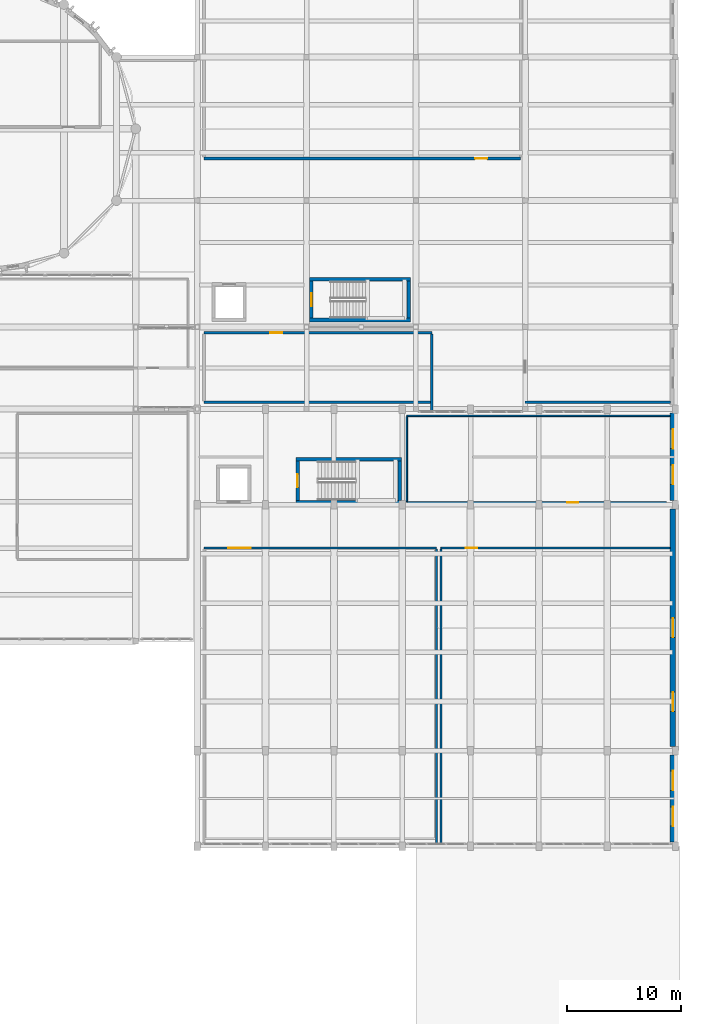
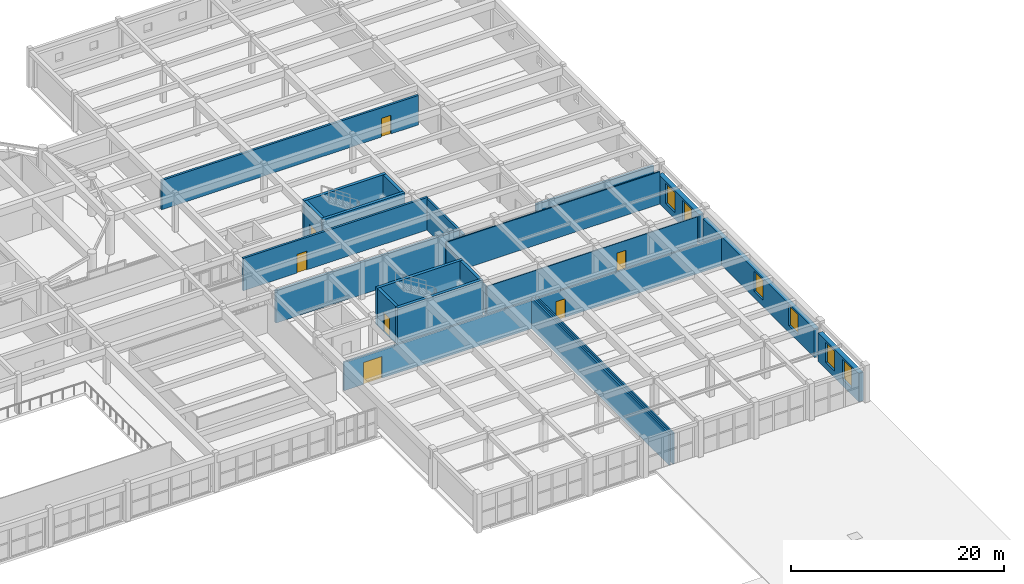
# One storey, part 72 of 92: 23 walls, 7 doors, 6 windows, 13 openings.
"""IFC4 building model written with IfcOpenShell, lengths in metres."""

from ifc_helpers import new_model, si_unit, direction, frame, frame_2d, origin, place, context, subcontext, project, spatial, rectangle, extrude, material, layer, layer_set, type_object, element, fill, save


model = new_model("IFC4")

# Units and contexts
model_context = context("Model", 3, precision=1e-05, world=origin(), true_north=direction((0.0, 1.0)))
body_context = subcontext(model_context, "Body", "Model", "MODEL_VIEW")
ifc_project = project(units=[si_unit("LENGTHUNIT", "METRE"), si_unit("AREAUNIT", "SQUARE_METRE"), si_unit("VOLUMEUNIT", "CUBIC_METRE"), si_unit("PLANEANGLEUNIT", "RADIAN"), si_unit("MASSUNIT", "GRAM", prefix="KILO")], contexts=[model_context])

# Site, building, storey
site_placement = place(None, origin())
site = spatial("IfcSite", under=ifc_project, at=site_placement, CompositionType="ELEMENT")
building_placement = place(site_placement, origin())
building = spatial("IfcBuilding", under=site, at=building_placement, Name="Tarnavel Promenade Courthouse", CompositionType="ELEMENT")
storey_placement = place(building_placement, frame((0.0, 0.0, 5.39990234375)))
storey = spatial("IfcBuildingStorey", under=building, at=storey_placement, Name="L02", CompositionType="ELEMENT", Elevation=5.39990234375)

# Wall, opening, door
ifc_material_1 = material(Name="Acoustic Insulated Gypsum Stud Partition", Category="gypsum")
ifc_layer_1 = layer(ifc_material_1, 0.1650390625)
ifc_layer_set_1 = layer_set([ifc_layer_1], Name="Acoustic Insulated Gypsum Stud Partition")
wall_type_1 = type_object("IfcWallType", Name="Acoustic Insulated Gypsum Stud Partition WL-CHM-165 (165 mm)", PredefinedType="PARTITIONING", material=ifc_layer_set_1)
wall_1_placement = place(storey_placement, frame((141.39990234375, 55.0, 0.0), z_axis=(0.0, 0.0, 1.0), x_axis=(1.0, 0.0, 0.0)))
wall_1 = element("IfcWall", 1, at=wall_1_placement, inside=storey, type_object=wall_type_1, Name="L02 En-Banc Judicial Deliberation Chamber Partition 0356", PredefinedType="PARTITIONING", context=body_context, shape_type="SweptSolid", body=[
    extrude(rectangle(XDim=20.1259765625, YDim=0.1650390625, at=frame_2d((10.06298828125, 0.0))), origin(), (0.0, 0.0, 1.0), 3.27001953125),
])
opening_1_placement = place(wall_1_placement, frame((2.192626953125, 0.0, 0.0)))
opening_1 = element("IfcOpeningElement", 2, at=opening_1_placement, cuts=wall_1, Name="Opening ID-03", PredefinedType="OPENING", context=body_context, shape_type="SweptSolid", body=[
    extrude(rectangle(XDim=1.0, YDim=2.14990234375, at=frame_2d((0.5, 1.074951171875))), frame((0.0, 0.092529296875, 0.0), z_axis=(0.0, -1.0, 0.0), x_axis=(1.0, 0.0, 0.0)), (0.0, 0.0, 1.0), 0.18505859375),
])
ifc_material_2 = material(Name="Acoustic Solid-Core Oak Jury Room Door")
door_type_1 = type_object("IfcDoorType", Name="Acoustic Solid-Core Oak Jury Room Door (DR-JRY-1000x2150)", OperationType="NOTDEFINED", PredefinedType="DOOR", material=ifc_material_2)
door_1_placement = place(opening_1_placement, origin())
door_1 = element("IfcDoor", 3, at=door_1_placement, inside=storey, type_object=door_type_1, Name="L02 En-Banc Judicial Deliberation Chamber Door 0102", OperationType="SINGLE_SWING_LEFT", OverallHeight=2.14990234375, OverallWidth=1.0, PredefinedType="DOOR", context=body_context, shape_type="SweptSolid", body=[
    extrude(rectangle(XDim=1.0, YDim=2.14990234375, at=frame_2d((0.5, 1.074951171875))), frame((0.0, 0.02490234375, 0.0), z_axis=(0.0, -1.0, 0.0), x_axis=(1.0, 0.0, 0.0)), (0.0, 0.0, 1.0), 0.050048828125),
])
fill(opening_1, door_1)

# Walls
wall_2_placement = place(storey_placement, frame((141.39990234375, 29.110107421875, 0.0), z_axis=(0.0, 0.0, 1.0), x_axis=(0.0, 1.0, 0.0)))
element("IfcWall", 4, at=wall_2_placement, inside=storey, type_object=wall_type_1, Name="L02 En-Banc Judicial Deliberation Chamber Partition 0357", PredefinedType="PARTITIONING", context=body_context, shape_type="SweptSolid", body=[
    extrude(rectangle(XDim=25.79736328125, YDim=0.1650390625, at=frame_2d((12.898681640625, 0.0))), origin(), (0.0, 0.0, 1.0), 3.570068359375),
])
ifc_material_3 = material(Name="Concrete C40/50", Category="concrete")
ifc_layer_2 = layer(ifc_material_3, 0.320068359375)
ifc_layer_set_2 = layer_set([ifc_layer_2], Name="Concrete C40/50")
wall_type_2 = type_object("IfcWallType", Name="Concrete C40/50 WL-SHR-320 (320 mm)", PredefinedType="SHEAR", material=ifc_layer_set_2)
for number, where, z_axis, x_axis, name in (
    (5, (129.860107421875, 78.580078125, 0.0), (0.0, 0.0, 1.0), (1.0, 0.0, 0.0), "L02 ST-06 Shear Core North Wall"),
    (6, (138.739990234375, 75.02001953125, 0.0), (0.0, 0.0, 1.0), (-1.0, 0.0, 0.0), "L02 ST-06 Shear Core South Wall"),
):
    element("IfcWall", number, at=place(storey_placement, frame(where, z_axis=z_axis, x_axis=x_axis)), inside=storey, type_object=wall_type_2, Name=name, PredefinedType="SHEAR", context=body_context, shape_type="SweptSolid", body=[
        extrude(rectangle(XDim=8.8798828125, YDim=0.320068359375, at=frame_2d((4.43994140625, 0.0))), origin(), (0.0, 0.0, 1.0), 4.239990234375),
    ])

# Wall, opening, door
wall_3_placement = place(storey_placement, frame((130.02001953125, 75.179931640625, 0.0), z_axis=(0.0, 0.0, 1.0), x_axis=(0.0, 1.0, 0.0)))
wall_3 = element("IfcWall", 7, at=wall_3_placement, inside=storey, type_object=wall_type_2, Name="L02 ST-06 Shear Core West Landing Wall", PredefinedType="SHEAR", context=body_context, shape_type="SweptSolid", body=[
    extrude(rectangle(XDim=3.239990234375, YDim=0.320068359375, at=frame_2d((1.6201171875, 0.0))), origin(), (0.0, 0.0, 1.0), 4.239990234375),
])
opening_2_placement = place(wall_3_placement, frame((1.044921875, 0.0, 0.0)))
opening_2 = element("IfcOpeningElement", 8, at=opening_2_placement, cuts=wall_3, Name="Opening FD-01", PredefinedType="OPENING", context=body_context, shape_type="SweptSolid", body=[
    extrude(rectangle(XDim=1.14990234375, YDim=2.199951171875, at=frame_2d((0.574951171875, 1.10009765625))), frame((0.0, 0.169921875, 0.0), z_axis=(0.0, -1.0, 0.0), x_axis=(1.0, 0.0, 0.0)), (0.0, 0.0, 1.0), 0.340087890625),
])
ifc_material_4 = material(Name="Steel Fire-Rated Stair Core Door", Category="steel")
door_type_2 = type_object("IfcDoorType", Name="Steel Fire-Rated Stair Core Door (DR-ST-1150x2200)", OperationType="NOTDEFINED", PredefinedType="DOOR", material=ifc_material_4)
door_2_placement = place(opening_2_placement, origin())
door_2 = element("IfcDoor", 9, at=door_2_placement, inside=storey, type_object=door_type_2, Name="L02 ST-06 Protected Exit Stair Door", OperationType="SINGLE_SWING_LEFT", OverallHeight=2.199951171875, OverallWidth=1.14990234375, PredefinedType="DOOR", context=body_context, shape_type="SweptSolid", body=[
    extrude(rectangle(XDim=1.14990234375, YDim=2.199951171875, at=frame_2d((0.574951171875, 1.10009765625))), frame((0.0, 0.02490234375, 0.0), z_axis=(0.0, -1.0, 0.0), x_axis=(1.0, 0.0, 0.0)), (0.0, 0.0, 1.0), 0.050048828125),
])
fill(opening_2, door_2)

# Walls
wall_4_placement = place(storey_placement, frame((138.580078125, 78.419921875, 0.0), z_axis=(0.0, 0.0, 1.0), x_axis=(0.0, -1.0, 0.0)))
element("IfcWall", 10, at=wall_4_placement, inside=storey, type_object=wall_type_2, Name="L02 ST-06 Shear Core East Wall", PredefinedType="SHEAR", context=body_context, shape_type="SweptSolid", body=[
    extrude(rectangle(XDim=3.239990234375, YDim=0.320068359375, at=frame_2d((1.6201171875, 0.0))), origin(), (0.0, 0.0, 1.0), 4.239990234375),
])
for number, where, z_axis, x_axis, name in (
    (11, (128.659912109375, 62.780029296875, 0.0), (0.0, 0.0, 1.0), (1.0, 0.0, 0.0), "L02 ST-08 Shear Core North Wall"),
    (12, (137.93994140625, 59.02001953125, 0.0), (0.0, 0.0, 1.0), (-1.0, 0.0, 0.0), "L02 ST-08 Shear Core South Wall"),
):
    element("IfcWall", number, at=place(storey_placement, frame(where, z_axis=z_axis, x_axis=x_axis)), inside=storey, type_object=wall_type_2, Name=name, PredefinedType="SHEAR", context=body_context, shape_type="SweptSolid", body=[
        extrude(rectangle(XDim=9.280029296875, YDim=0.320068359375, at=frame_2d((4.64013671875, 0.0))), origin(), (0.0, 0.0, 1.0), 4.239990234375),
    ])

# Wall, opening, door
wall_5_placement = place(storey_placement, frame((128.820068359375, 59.179931640625, 0.0), z_axis=(0.0, 0.0, 1.0), x_axis=(0.0, 1.0, 0.0)))
wall_5 = element("IfcWall", 13, at=wall_5_placement, inside=storey, type_object=wall_type_2, Name="L02 ST-08 Shear Core West Landing Wall", PredefinedType="SHEAR", context=body_context, shape_type="SweptSolid", body=[
    extrude(rectangle(XDim=3.440185546875, YDim=0.320068359375, at=frame_2d((1.72021484375, 0.0))), origin(), (0.0, 0.0, 1.0), 4.239990234375),
])
opening_3_placement = place(wall_5_placement, frame((1.14501953125, 0.0, 0.0)))
opening_3 = element("IfcOpeningElement", 14, at=opening_3_placement, cuts=wall_5, Name="Opening FD-01", PredefinedType="OPENING", context=body_context, shape_type="SweptSolid", body=[
    extrude(rectangle(XDim=1.14990234375, YDim=2.199951171875, at=frame_2d((0.574951171875, 1.10009765625))), frame((0.0, 0.169921875, 0.0), z_axis=(0.0, -1.0, 0.0), x_axis=(1.0, 0.0, 0.0)), (0.0, 0.0, 1.0), 0.340087890625),
])
door_3_placement = place(opening_3_placement, origin())
door_3 = element("IfcDoor", 15, at=door_3_placement, inside=storey, type_object=door_type_2, Name="L02 ST-08 Protected Exit Stair Door", OperationType="SINGLE_SWING_RIGHT", OverallHeight=2.199951171875, OverallWidth=1.14990234375, PredefinedType="DOOR", context=body_context, shape_type="SweptSolid", body=[
    extrude(rectangle(XDim=1.14990234375, YDim=2.199951171875, at=frame_2d((0.574951171875, 1.10009765625))), frame((0.0, 0.02490234375, 0.0), z_axis=(0.0, -1.0, 0.0), x_axis=(1.0, 0.0, 0.0)), (0.0, 0.0, 1.0), 0.050048828125),
])
fill(opening_3, door_3)

# Wall
wall_6_placement = place(storey_placement, frame((137.780029296875, 62.6201171875, 0.0), z_axis=(0.0, 0.0, 1.0), x_axis=(0.0, -1.0, 0.0)))
element("IfcWall", 16, at=wall_6_placement, inside=storey, type_object=wall_type_2, Name="L02 ST-08 Shear Core East Wall", PredefinedType="SHEAR", context=body_context, shape_type="SweptSolid", body=[
    extrude(rectangle(XDim=3.440185546875, YDim=0.320068359375, at=frame_2d((1.72021484375, 0.0))), origin(), (0.0, 0.0, 1.0), 4.239990234375),
])

# Wall, opening, door
ifc_material_5 = material(Name="Concrete Masonry Fire Compartment Wall", Category="masonry")
ifc_layer_3 = layer(ifc_material_5, 0.22998046875)
ifc_layer_set_3 = layer_set([ifc_layer_3], Name="Concrete Masonry Fire Compartment Wall")
wall_type_3 = type_object("IfcWallType", Name="Concrete Masonry Fire Compartment Wall WL-CMP-230 (230 mm)", PredefinedType="STANDARD", material=ifc_layer_set_3)
wall_7_placement = place(storey_placement, frame((120.60009765625, 73.89990234375, 0.0), z_axis=(0.0, 0.0, 1.0), x_axis=(1.0, 0.0, 0.0)))
wall_7 = element("IfcWall", 17, at=wall_7_placement, inside=storey, type_object=wall_type_3, Name="L02 Custody Suite Juvenile Separated Holding Suite Partition 0361", PredefinedType="STANDARD", context=body_context, shape_type="SweptSolid", body=[
    extrude(rectangle(XDim=20.0, YDim=0.22998046875, at=frame_2d((10.0, 0.0))), origin(), (0.0, 0.0, 1.0), 3.72021484375),
])
opening_4_placement = place(wall_7_placement, frame((5.824951171875, 0.0, 0.0)))
opening_4 = element("IfcOpeningElement", 18, at=opening_4_placement, cuts=wall_7, Name="Opening SD-01", PredefinedType="OPENING", context=body_context, shape_type="SweptSolid", body=[
    extrude(rectangle(XDim=1.050048828125, YDim=2.14990234375, at=frame_2d((0.52490234375, 1.074951171875))), frame((0.0, 0.125, 0.0), z_axis=(0.0, -1.0, 0.0), x_axis=(1.0, 0.0, 0.0)), (0.0, 0.0, 1.0), 0.25),
])
ifc_material_6 = material(Name="Reinforced Steel Custody Cell Security Door", Category="concrete")
door_type_3 = type_object("IfcDoorType", Name="Reinforced Steel Custody Cell Security Door (DR-CUS-1050x2150)", OperationType="NOTDEFINED", PredefinedType="DOOR", material=ifc_material_6)
door_4_placement = place(opening_4_placement, origin())
door_4 = element("IfcDoor", 19, at=door_4_placement, inside=storey, type_object=door_type_3, Name="L02 Custody Suite Juvenile Separated Holding Suite Door 0104", OperationType="SINGLE_SWING_LEFT", OverallHeight=2.14990234375, OverallWidth=1.050048828125, PredefinedType="DOOR", context=body_context, shape_type="SweptSolid", body=[
    extrude(rectangle(XDim=1.050048828125, YDim=2.14990234375, at=frame_2d((0.52490234375, 1.074951171875))), frame((0.0, 0.02490234375, 0.0), z_axis=(0.0, -1.0, 0.0), x_axis=(1.0, 0.0, 0.0)), (0.0, 0.0, 1.0), 0.050048828125),
])
fill(opening_4, door_4)

# Walls
wall_8_placement = place(storey_placement, frame((140.60009765625, 67.800048828125, 0.0), z_axis=(0.0, 0.0, 1.0), x_axis=(-1.0, 0.0, 0.0)))
element("IfcWall", 20, at=wall_8_placement, inside=storey, type_object=wall_type_3, Name="L02 Custody Suite Juvenile Separated Holding Suite Partition 0362", PredefinedType="STANDARD", context=body_context, shape_type="SweptSolid", body=[
    extrude(rectangle(XDim=20.0, YDim=0.22998046875, at=frame_2d((10.0, 0.0))), origin(), (0.0, 0.0, 1.0), 3.72021484375),
])
wall_9_placement = place(storey_placement, frame((140.60009765625, 73.77490234375, 0.0), z_axis=(0.0, 0.0, 1.0), x_axis=(0.0, -1.0, 0.0)))
element("IfcWall", 21, at=wall_9_placement, inside=storey, type_object=wall_type_3, Name="L02 Custody Suite Juvenile Separated Holding Suite Partition 0364", PredefinedType="STANDARD", context=body_context, shape_type="SweptSolid", body=[
    extrude(rectangle(XDim=6.724853515625, YDim=0.22998046875, at=frame_2d((3.3623046875, 0.0))), origin(), (0.0, 0.0, 1.0), 3.570068359375),
])
wall_10_placement = place(storey_placement, frame((161.535888671875, 67.800048828125, 0.0), z_axis=(0.0, 0.0, 1.0), x_axis=(-1.0, 0.0, 0.0)))
element("IfcWall", 22, at=wall_10_placement, inside=storey, type_object=wall_type_3, Name="L02 Non-Contact Legal Interview Suite Partition 0365", PredefinedType="STANDARD", context=body_context, shape_type="SweptSolid", body=[
    extrude(rectangle(XDim=12.73583984375, YDim=0.22998046875, at=frame_2d((6.367919921875, 0.0))), origin(), (0.0, 0.0, 1.0), 3.72021484375),
])

# Wall, opening, door
wall_11_placement = place(storey_placement, frame((148.39990234375, 89.199951171875, 0.0), z_axis=(0.0, 0.0, 1.0), x_axis=(-1.0, 0.0, 0.0)))
wall_11 = element("IfcWall", 23, at=wall_11_placement, inside=storey, type_object=wall_type_3, Name="L02 Court Security Control and Marshals' Briefing Room Partition 0367", PredefinedType="STANDARD", context=body_context, shape_type="SweptSolid", body=[
    extrude(rectangle(XDim=27.7998046875, YDim=0.22998046875, at=frame_2d((13.89990234375, 0.0))), origin(), (0.0, 0.0, 1.0), 3.3701171875),
])
opening_5_placement = place(wall_11_placement, frame((2.955078125, 0.0, 0.0)))
opening_5 = element("IfcOpeningElement", 24, at=opening_5_placement, cuts=wall_11, Name="Opening SD-01", PredefinedType="OPENING", context=body_context, shape_type="SweptSolid", body=[
    extrude(rectangle(XDim=1.050048828125, YDim=2.14990234375, at=frame_2d((0.52490234375, 1.074951171875))), frame((0.0, 0.125, 0.0), z_axis=(0.0, -1.0, 0.0), x_axis=(1.0, 0.0, 0.0)), (0.0, 0.0, 1.0), 0.25),
])
door_5_placement = place(opening_5_placement, origin())
door_5 = element("IfcDoor", 25, at=door_5_placement, inside=storey, type_object=door_type_3, Name="L02 Court Security Control and Marshals' Briefing Room Door 0106", OperationType="SINGLE_SWING_LEFT", OverallHeight=2.14990234375, OverallWidth=1.050048828125, PredefinedType="DOOR", context=body_context, shape_type="SweptSolid", body=[
    extrude(rectangle(XDim=1.050048828125, YDim=2.14990234375, at=frame_2d((0.52490234375, 1.074951171875))), frame((0.0, 0.02490234375, 0.0), z_axis=(0.0, -1.0, 0.0), x_axis=(1.0, 0.0, 0.0)), (0.0, 0.0, 1.0), 0.050048828125),
])
fill(opening_5, door_5)

ifc_material_7 = material(Name="Double-Stud Acoustic Courtroom Partition Assembly", Category="gypsum")
ifc_layer_4 = layer(ifc_material_7, 0.18505859375)
ifc_layer_set_4 = layer_set([ifc_layer_4], Name="Double-Stud Acoustic Courtroom Partition Assembly")
wall_type_4 = type_object("IfcWallType", Name="Double-Stud Acoustic Courtroom Partition Assembly WL-CRT-185 (185 mm)", PredefinedType="PARTITIONING", material=ifc_layer_set_4)
wall_12_placement = place(storey_placement, frame((120.60009765625, 55.0, 0.0), z_axis=(0.0, 0.0, 1.0), x_axis=(1.0, 0.0, 0.0)))
wall_12 = element("IfcWall", 26, at=wall_12_placement, inside=storey, type_object=wall_type_4, Name="L02 High Appellate Hearing Courtroom Partition 0353", PredefinedType="PARTITIONING", context=body_context, shape_type="SweptSolid", body=[
    extrude(rectangle(XDim=20.39990234375, YDim=0.18505859375, at=frame_2d((10.199951171875, 0.0))), origin(), (0.0, 0.0, 1.0), 3.27001953125),
])
opening_6_placement = place(wall_12_placement, frame((2.1201171875, 0.0, 0.0)))
opening_6 = element("IfcOpeningElement", 27, at=opening_6_placement, cuts=wall_12, Name="Opening ID-01", PredefinedType="OPENING", context=body_context, shape_type="SweptSolid", body=[
    extrude(rectangle(XDim=2.0, YDim=2.5, at=frame_2d((1.0, 1.25))), frame((0.0, 0.1025390625, 0.0), z_axis=(0.0, -1.0, 0.0), x_axis=(1.0, 0.0, 0.0)), (0.0, 0.0, 1.0), 0.205078125),
])
ifc_material_8 = material(Name="Solid Oak Acoustic Courtroom Double Door")
door_type_4 = type_object("IfcDoorType", Name="Solid Oak Acoustic Courtroom Double Door (DR-CRT-2000x2500)", OperationType="NOTDEFINED", PredefinedType="DOOR", material=ifc_material_8)
door_6_placement = place(opening_6_placement, origin())
door_6 = element("IfcDoor", 28, at=door_6_placement, inside=storey, type_object=door_type_4, Name="L02 High Appellate Hearing Courtroom Door 0101", OperationType="DOUBLE_DOOR_SINGLE_SWING", OverallHeight=2.5, OverallWidth=2.0, PredefinedType="DOOR", context=body_context, shape_type="SweptSolid", body=[
    extrude(rectangle(XDim=2.0, YDim=2.5, at=frame_2d((1.0, 1.25))), frame((0.0, 0.02490234375, 0.0), z_axis=(0.0, -1.0, 0.0), x_axis=(1.0, 0.0, 0.0)), (0.0, 0.0, 1.0), 0.050048828125),
])
fill(opening_6, door_6)

# Wall
wall_13_placement = place(storey_placement, frame((141.0, 54.8974609375, 0.0), z_axis=(0.0, 0.0, 1.0), x_axis=(0.0, -1.0, 0.0)))
element("IfcWall", 29, at=wall_13_placement, inside=storey, type_object=wall_type_4, Name="L02 High Appellate Hearing Courtroom Partition 0355", PredefinedType="PARTITIONING", context=body_context, shape_type="SweptSolid", body=[
    extrude(rectangle(XDim=25.787353515625, YDim=0.18505859375, at=frame_2d((12.8935546875, 0.0))), origin(), (0.0, 0.0, 1.0), 3.570068359375),
])

# Wall, openings, windows
ifc_material_9 = material(Name="Limestone Ashlar Faced Insulated Brick Masonry", Category="masonry")
ifc_layer_5 = layer(ifc_material_9, 0.47998046875)
ifc_layer_set_5 = layer_set([ifc_layer_5], Name="Limestone Ashlar Faced Insulated Brick Masonry")
wall_type_5 = type_object("IfcWallType", Name="Limestone Ashlar Faced Insulated Brick Masonry WL-EXT-480 (480 mm)", PredefinedType="STANDARD", material=ifc_layer_set_5)
wall_14_placement = place(storey_placement, frame((161.760009765625, 36.8330078125, 0.0), z_axis=(0.0, 0.0, 1.0), x_axis=(0.0, -1.0, 0.0)))
wall_14 = element("IfcWall", 30, at=wall_14_placement, inside=storey, type_object=wall_type_5, Name="L02 Ceremonial Pavilion East Stone Facade 0384", PredefinedType="STANDARD", context=body_context, shape_type="SweptSolid", body=[
    extrude(rectangle(XDim=7.666015625, YDim=0.47998046875, at=frame_2d((3.8330078125, 0.0))), origin(), (0.0, 0.0, 1.0), 3.27001953125),
])
opening_7_placement = place(wall_14_placement, frame((1.407958984375, 0.0, 0.75)))
opening_7 = element("IfcOpeningElement", 31, at=opening_7_placement, cuts=wall_14, Name="Opening W-01", PredefinedType="OPENING", context=body_context, shape_type="SweptSolid", body=[
    extrude(rectangle(XDim=1.699951171875, YDim=2.300048828125, at=frame_2d((0.85009765625, 1.14990234375))), frame((0.0, 0.25, 0.0), z_axis=(0.0, -1.0, 0.0), x_axis=(1.0, 0.0, 0.0)), (0.0, 0.0, 1.0), 0.5),
])
opening_8_placement = place(wall_14_placement, frame((4.55810546875, 0.0, 0.75)))
opening_8 = element("IfcOpeningElement", 32, at=opening_8_placement, cuts=wall_14, Name="Opening W-01", PredefinedType="OPENING", context=body_context, shape_type="SweptSolid", body=[
    extrude(rectangle(XDim=1.699951171875, YDim=2.300048828125, at=frame_2d((0.85009765625, 1.14990234375))), frame((0.0, 0.25, 0.0), z_axis=(0.0, -1.0, 0.0), x_axis=(1.0, 0.0, 0.0)), (0.0, 0.0, 1.0), 0.5),
])
ifc_material_10 = material(Name="Triple Low-E Glazed Bronze-Clad Window Assembly")
window_type = type_object("IfcWindowType", Name="Triple-Glazed Bronze-Clad Timber-Aluminium WIN-CRT-1700x2300", PartitioningType="SINGLE_PANEL", PredefinedType="WINDOW", material=ifc_material_10)
window_1_placement = place(opening_7_placement, origin())
window_1 = element("IfcWindow", 33, at=window_1_placement, inside=storey, type_object=window_type, Name="L02 Exterior Window 0462", OverallHeight=2.300048828125, OverallWidth=1.699951171875, PartitioningType="SINGLE_PANEL", PredefinedType="WINDOW", context=body_context, shape_type="SweptSolid", body=[
    extrude(rectangle(XDim=1.699951171875, YDim=2.300048828125, at=frame_2d((0.85009765625, 1.14990234375))), frame((0.0, 0.030029296875, 0.0), z_axis=(0.0, -1.0, 0.0), x_axis=(1.0, 0.0, 0.0)), (0.0, 0.0, 1.0), 0.06005859375),
])
fill(opening_7, window_1)
window_2_placement = place(opening_8_placement, origin())
window_2 = element("IfcWindow", 34, at=window_2_placement, inside=storey, type_object=window_type, Name="L02 Exterior Window 0463", OverallHeight=2.300048828125, OverallWidth=1.699951171875, PartitioningType="SINGLE_PANEL", PredefinedType="WINDOW", context=body_context, shape_type="SweptSolid", body=[
    extrude(rectangle(XDim=1.699951171875, YDim=2.300048828125, at=frame_2d((0.85009765625, 1.14990234375))), frame((0.0, 0.030029296875, 0.0), z_axis=(0.0, -1.0, 0.0), x_axis=(1.0, 0.0, 0.0)), (0.0, 0.0, 1.0), 0.06005859375),
])
fill(opening_8, window_2)

wall_15_placement = place(storey_placement, frame((161.760009765625, 58.43310546875, 0.0), z_axis=(0.0, 0.0, 1.0), x_axis=(0.0, -1.0, 0.0)))
wall_15 = element("IfcWall", 35, at=wall_15_placement, inside=storey, type_object=wall_type_5, Name="L02 Ceremonial Pavilion East Stone Facade 0385", PredefinedType="STANDARD", context=body_context, shape_type="SweptSolid", body=[
    extrude(rectangle(XDim=20.8662109375, YDim=0.47998046875, at=frame_2d((10.43310546875, 0.0))), origin(), (0.0, 0.0, 1.0), 3.27001953125),
])
opening_9_placement = place(wall_15_placement, frame((9.5830078125, 0.0, 0.75)))
opening_9 = element("IfcOpeningElement", 36, at=opening_9_placement, cuts=wall_15, Name="Opening W-01", PredefinedType="OPENING", context=body_context, shape_type="SweptSolid", body=[
    extrude(rectangle(XDim=1.699951171875, YDim=2.300048828125, at=frame_2d((0.85009765625, 1.14990234375))), frame((0.0, 0.25, 0.0), z_axis=(0.0, -1.0, 0.0), x_axis=(1.0, 0.0, 0.0)), (0.0, 0.0, 1.0), 0.5),
])
opening_10_placement = place(wall_15_placement, frame((16.0830078125, 0.0, 0.75)))
opening_10 = element("IfcOpeningElement", 37, at=opening_10_placement, cuts=wall_15, Name="Opening W-01", PredefinedType="OPENING", context=body_context, shape_type="SweptSolid", body=[
    extrude(rectangle(XDim=1.699951171875, YDim=2.300048828125, at=frame_2d((0.85009765625, 1.14990234375))), frame((0.0, 0.25, 0.0), z_axis=(0.0, -1.0, 0.0), x_axis=(1.0, 0.0, 0.0)), (0.0, 0.0, 1.0), 0.5),
])
window_3_placement = place(opening_9_placement, origin())
window_3 = element("IfcWindow", 38, at=window_3_placement, inside=storey, type_object=window_type, Name="L02 Exterior Window 0464", OverallHeight=2.300048828125, OverallWidth=1.699951171875, PartitioningType="SINGLE_PANEL", PredefinedType="WINDOW", context=body_context, shape_type="SweptSolid", body=[
    extrude(rectangle(XDim=1.699951171875, YDim=2.300048828125, at=frame_2d((0.85009765625, 1.14990234375))), frame((0.0, 0.030029296875, 0.0), z_axis=(0.0, -1.0, 0.0), x_axis=(1.0, 0.0, 0.0)), (0.0, 0.0, 1.0), 0.06005859375),
])
fill(opening_9, window_3)
window_4_placement = place(opening_10_placement, origin())
window_4 = element("IfcWindow", 39, at=window_4_placement, inside=storey, type_object=window_type, Name="L02 Exterior Window 0465", OverallHeight=2.300048828125, OverallWidth=1.699951171875, PartitioningType="SINGLE_PANEL", PredefinedType="WINDOW", context=body_context, shape_type="SweptSolid", body=[
    extrude(rectangle(XDim=1.699951171875, YDim=2.300048828125, at=frame_2d((0.85009765625, 1.14990234375))), frame((0.0, 0.030029296875, 0.0), z_axis=(0.0, -1.0, 0.0), x_axis=(1.0, 0.0, 0.0)), (0.0, 0.0, 1.0), 0.06005859375),
])
fill(opening_10, window_4)

wall_16_placement = place(storey_placement, frame((161.760009765625, 66.8330078125, 0.0), z_axis=(0.0, 0.0, 1.0), x_axis=(0.0, -1.0, 0.0)))
wall_16 = element("IfcWall", 40, at=wall_16_placement, inside=storey, type_object=wall_type_5, Name="L02 Ceremonial Pavilion East Stone Facade 0386", PredefinedType="STANDARD", context=body_context, shape_type="SweptSolid", body=[
    extrude(rectangle(XDim=7.666015625, YDim=0.47998046875, at=frame_2d((3.8330078125, 0.0))), origin(), (0.0, 0.0, 1.0), 3.27001953125),
])
opening_11_placement = place(wall_16_placement, frame((1.407958984375, 0.0, 0.75)))
opening_11 = element("IfcOpeningElement", 41, at=opening_11_placement, cuts=wall_16, Name="Opening W-01", PredefinedType="OPENING", context=body_context, shape_type="SweptSolid", body=[
    extrude(rectangle(XDim=1.699951171875, YDim=2.300048828125, at=frame_2d((0.85009765625, 1.14990234375))), frame((0.0, 0.25, 0.0), z_axis=(0.0, -1.0, 0.0), x_axis=(1.0, 0.0, 0.0)), (0.0, 0.0, 1.0), 0.5),
])
opening_12_placement = place(wall_16_placement, frame((4.55810546875, 0.0, 0.75)))
opening_12 = element("IfcOpeningElement", 42, at=opening_12_placement, cuts=wall_16, Name="Opening W-01", PredefinedType="OPENING", context=body_context, shape_type="SweptSolid", body=[
    extrude(rectangle(XDim=1.699951171875, YDim=2.300048828125, at=frame_2d((0.85009765625, 1.14990234375))), frame((0.0, 0.25, 0.0), z_axis=(0.0, -1.0, 0.0), x_axis=(1.0, 0.0, 0.0)), (0.0, 0.0, 1.0), 0.5),
])
window_5_placement = place(opening_11_placement, origin())
window_5 = element("IfcWindow", 43, at=window_5_placement, inside=storey, type_object=window_type, Name="L02 Exterior Window 0466", OverallHeight=2.300048828125, OverallWidth=1.699951171875, PartitioningType="SINGLE_PANEL", PredefinedType="WINDOW", context=body_context, shape_type="SweptSolid", body=[
    extrude(rectangle(XDim=1.699951171875, YDim=2.300048828125, at=frame_2d((0.85009765625, 1.14990234375))), frame((0.0, 0.030029296875, 0.0), z_axis=(0.0, -1.0, 0.0), x_axis=(1.0, 0.0, 0.0)), (0.0, 0.0, 1.0), 0.06005859375),
])
fill(opening_11, window_5)
window_6_placement = place(opening_12_placement, origin())
window_6 = element("IfcWindow", 44, at=window_6_placement, inside=storey, type_object=window_type, Name="L02 Exterior Window 0467", OverallHeight=2.300048828125, OverallWidth=1.699951171875, PartitioningType="SINGLE_PANEL", PredefinedType="WINDOW", context=body_context, shape_type="SweptSolid", body=[
    extrude(rectangle(XDim=1.699951171875, YDim=2.300048828125, at=frame_2d((0.85009765625, 1.14990234375))), frame((0.0, 0.030029296875, 0.0), z_axis=(0.0, -1.0, 0.0), x_axis=(1.0, 0.0, 0.0)), (0.0, 0.0, 1.0), 0.06005859375),
])
fill(opening_12, window_6)

# Wall
ifc_material_11 = material(Name="Metal-Stud Acoustic Gypsum Partition", Category="gypsum")
ifc_layer_6 = layer(ifc_material_11, 0.135009765625)
ifc_layer_set_6 = layer_set([ifc_layer_6], Name="Metal-Stud Acoustic Gypsum Partition")
wall_type_6 = type_object("IfcWallType", Name="Metal-Stud Acoustic Gypsum Partition WL-OFF-135 (135 mm)", PredefinedType="PARTITIONING", material=ifc_layer_set_6)
wall_17_placement = place(storey_placement, frame((138.39990234375, 66.60009765625, 0.0), z_axis=(0.0, 0.0, 1.0), x_axis=(1.0, 0.0, 0.0)))
element("IfcWall", 45, at=wall_17_placement, inside=storey, type_object=wall_type_6, Name="L02 Advocates' Robing and Case Conference Salon Partition 0358", PredefinedType="PARTITIONING", context=body_context, shape_type="SweptSolid", body=[
    extrude(rectangle(XDim=23.1259765625, YDim=0.135009765625, at=frame_2d((11.56298828125, 0.0))), origin(), (0.0, 0.0, 1.0), 3.72021484375),
])

# Wall, opening, door
wall_18_placement = place(storey_placement, frame((161.199951171875, 59.0, 0.0), z_axis=(0.0, 0.0, 1.0), x_axis=(-1.0, 0.0, 0.0)))
wall_18 = element("IfcWall", 46, at=wall_18_placement, inside=storey, type_object=wall_type_6, Name="L02 Advocates' Robing and Case Conference Salon Partition 0359", PredefinedType="PARTITIONING", context=body_context, shape_type="SweptSolid", body=[
    extrude(rectangle(XDim=22.800048828125, YDim=0.135009765625, at=frame_2d((11.39990234375, 0.0))), origin(), (0.0, 0.0, 1.0), 3.27001953125),
])
opening_13_placement = place(wall_18_placement, frame((7.75244140625, 0.0, 0.0)))
opening_13 = element("IfcOpeningElement", 47, at=opening_13_placement, cuts=wall_18, Name="Opening ID-06", PredefinedType="OPENING", context=body_context, shape_type="SweptSolid", body=[
    extrude(rectangle(XDim=0.949951171875, YDim=2.14990234375, at=frame_2d((0.47509765625, 1.074951171875))), frame((0.0, 0.077392578125, 0.0), z_axis=(0.0, -1.0, 0.0), x_axis=(1.0, 0.0, 0.0)), (0.0, 0.0, 1.0), 0.155029296875),
])
ifc_material_12 = material(Name="Acoustic Timber Veneer Office Door", Category="wood")
door_type_5 = type_object("IfcDoorType", Name="Acoustic Timber Veneer Office Door (DR-OFF-0950x2150)", OperationType="NOTDEFINED", PredefinedType="DOOR", material=ifc_material_12)
door_7_placement = place(opening_13_placement, origin())
door_7 = element("IfcDoor", 48, at=door_7_placement, inside=storey, type_object=door_type_5, Name="L02 Advocates' Robing and Case Conference Salon Door 0103", OperationType="SINGLE_SWING_RIGHT", OverallHeight=2.14990234375, OverallWidth=0.949951171875, PredefinedType="DOOR", context=body_context, shape_type="SweptSolid", body=[
    extrude(rectangle(XDim=0.949951171875, YDim=2.14990234375, at=frame_2d((0.47509765625, 1.074951171875))), frame((0.0, 0.02490234375, 0.0), z_axis=(0.0, -1.0, 0.0), x_axis=(1.0, 0.0, 0.0)), (0.0, 0.0, 1.0), 0.050048828125),
])
fill(opening_13, door_7)

# Wall
wall_19_placement = place(storey_placement, frame((138.39990234375, 59.077392578125, 0.0), z_axis=(0.0, 0.0, 1.0), x_axis=(0.0, 1.0, 0.0)))
element("IfcWall", 49, at=wall_19_placement, inside=storey, type_object=wall_type_6, Name="L02 Advocates' Robing and Case Conference Salon Partition 0360", PredefinedType="PARTITIONING", context=body_context, shape_type="SweptSolid", body=[
    extrude(rectangle(XDim=7.445068359375, YDim=0.135009765625, at=frame_2d((3.72265625, 0.0))), origin(), (0.0, 0.0, 1.0), 3.27001953125),
])

save(model, "model.ifc")
